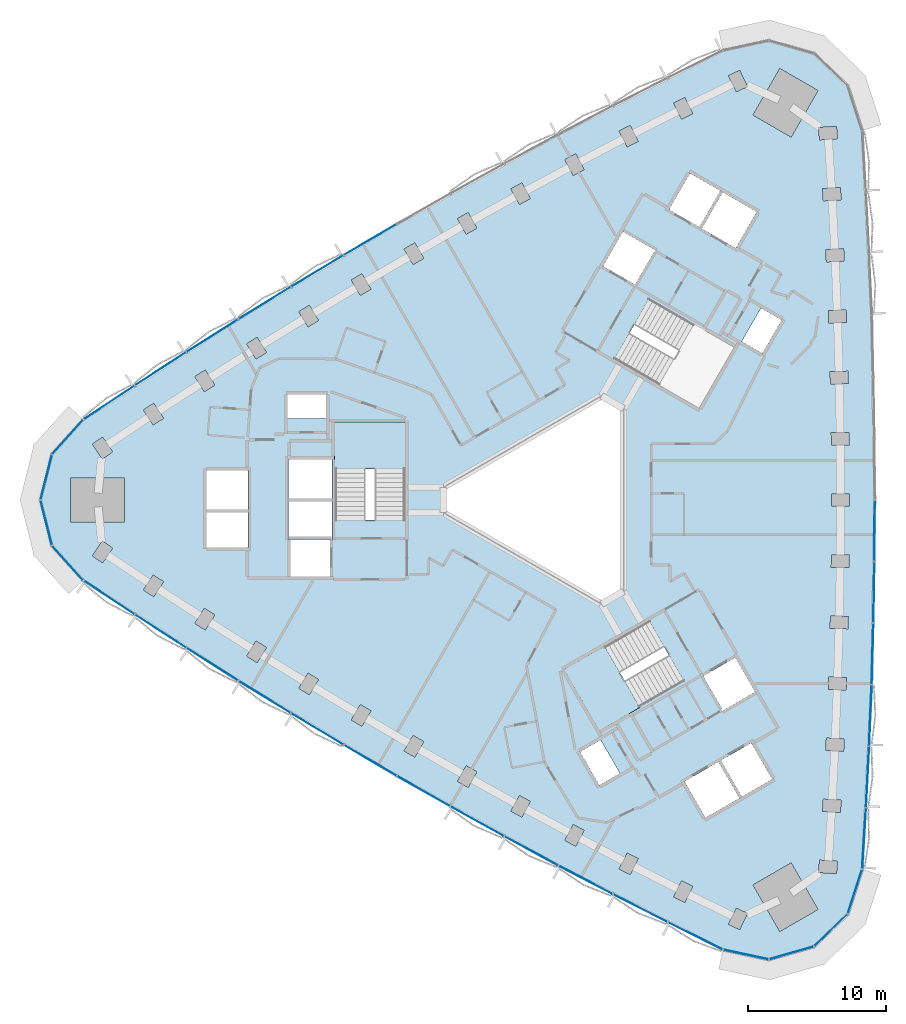
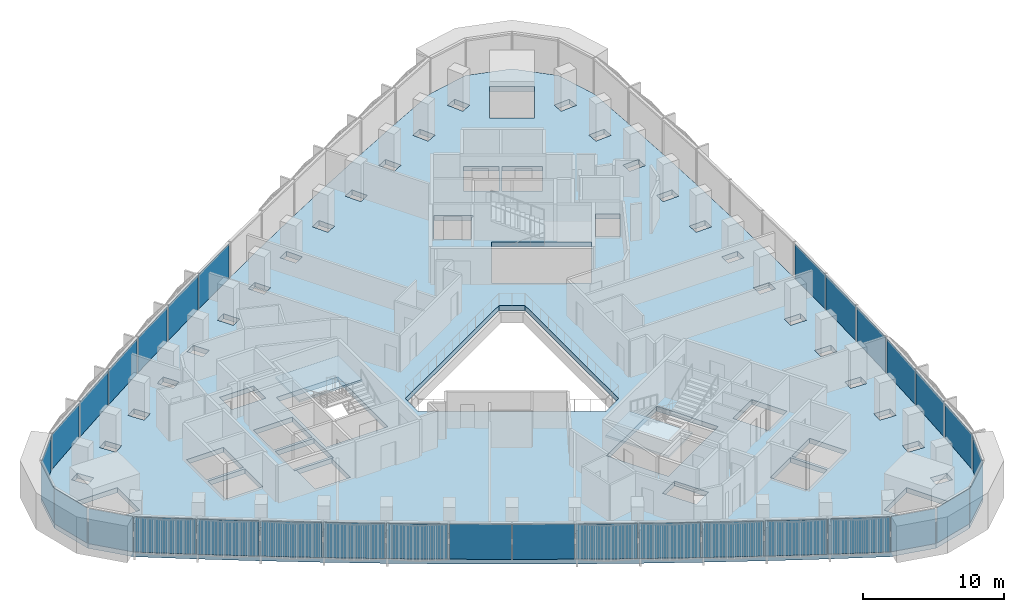
# One storey, part 6 of 15: 32 plates, 3 slabs, 5 elements without a shape of their own.
"""IFC4 building model written with IfcOpenShell, lengths in metres."""

from ifc_helpers import new_model, si_unit, direction, frame, origin, origin_2d, place, context, subcontext, project, spatial, polyline, rectangle, outline, extrude, material, layer, layer_set, type_object, element, aggregate, save


model = new_model("IFC4")

# Units and contexts
model_context = context("Model", 3, precision=1e-05, world=origin(), true_north=direction((0.0, 1.0)))
body_context = subcontext(model_context, "Body", "Model", "MODEL_VIEW")
ifc_project = project(units=[si_unit("LENGTHUNIT", "METRE"), si_unit("AREAUNIT", "SQUARE_METRE"), si_unit("VOLUMEUNIT", "CUBIC_METRE"), si_unit("PLANEANGLEUNIT", "RADIAN"), si_unit("MASSUNIT", "GRAM", prefix="KILO")], contexts=[model_context])

# Site, building, storey
site_placement = place(None, origin())
site = spatial("IfcSite", under=ifc_project, at=site_placement, CompositionType="ELEMENT")
building_placement = place(site_placement, origin())
building = spatial("IfcBuilding", under=site, at=building_placement, Name="Tamra Quay Hotel Tower", CompositionType="ELEMENT")
storey_placement = place(building_placement, frame((0.0, 0.0, 97.39990234375)))
storey = spatial("IfcBuildingStorey", under=building, at=storey_placement, Name="L23", CompositionType="ELEMENT", Elevation=97.39990234375)

# Stair, slab
ifc_material_1 = material(Name="Exit stair 2200 24 risers 150.0 going 342")
stair_type = type_object("IfcStairType", Name="Exit stair 2200 24 risers 150.0 going 342", PredefinedType="HALF_TURN_STAIR", material=ifc_material_1)
stair_1_placement = place(storey_placement, origin())
stair_1 = element("IfcStair", 1, at=stair_1_placement, inside=storey, type_object=stair_type, Name="L23 Exit stair ST3", PredefinedType="HALF_TURN_STAIR")
ifc_material_2 = material(Name="Concrete M70", Category="concrete")
ifc_layer_1 = layer(ifc_material_2, 0.175048828125)
ifc_layer_set_1 = layer_set([ifc_layer_1], Name="Concrete M70 stair landing 180")
slab_type_1 = type_object("IfcSlabType", Name="Concrete M70 stair landing 180", PredefinedType="LANDING", material=ifc_layer_set_1)
slab_1_placement = place(storey_placement, frame((0.0, 0.0, 1.625)))
slab_1 = element("IfcSlab", 2, at=slab_1_placement, type_object=slab_type_1, Name="ST3 landing 1", PredefinedType="LANDING", context=body_context, shape_type="SweptSolid", body=[
    extrude(outline(polyline([(-10.932373046875, 2.261962890625), (-10.932373046875, 5.679931640625), (-16.09130859375, 5.679931640625), (-16.09130859375, 2.261962890625), (-10.932373046875, 2.261962890625)])), origin(), (0.0, 0.0, 1.0), 0.175048828125),
])
aggregate(stair_1, [slab_1])

stair_2_placement = place(storey_placement, origin())
stair_2 = element("IfcStair", 3, at=stair_2_placement, inside=storey, type_object=stair_type, Name="L23 Exit stair ST2", PredefinedType="HALF_TURN_STAIR")
slab_2_placement = place(storey_placement, frame((0.0, 0.0, 1.625)))
slab_2 = element("IfcSlab", 4, at=slab_2_placement, type_object=slab_type_1, Name="ST2 landing 1", PredefinedType="LANDING", context=body_context, shape_type="SweptSolid", body=[
    extrude(outline(polyline([(3.50732421875, -10.5986328125), (0.547119140625, -12.3076171875), (3.126708984375, -16.775390625), (6.086669921875, -15.06640625), (3.50732421875, -10.5986328125)])), origin(), (0.0, 0.0, 1.0), 0.175048828125),
])
aggregate(stair_2, [slab_2])

# Slab
ifc_material_3 = material(Name="Concrete M60", Category="concrete")
ifc_layer_2 = layer(ifc_material_3, 0.425048828125)
ifc_layer_set_2 = layer_set([ifc_layer_2], Name="FLOOR SLAB PT 425")
slab_type_2 = type_object("IfcSlabType", Name="FLOOR SLAB PT 425", PredefinedType="FLOOR", material=ifc_layer_set_2)
slab_3_placement = place(storey_placement, frame((0.0, 0.0, -0.4248046875)))
element("IfcSlab", 5, at=slab_3_placement, inside=storey, type_object=slab_type_2, Name="SLAB-L23", PredefinedType="FLOOR", context=body_context, shape_type="SweptSolid", body=[
    extrude(outline(polyline([(22.506591796875, 22.354248046875), (22.736083984375, 17.886962890625), (22.914794921875, 13.417236328125), (23.04248046875, 8.94580078125), (23.119140625, 4.47314453125), (23.144775390625, 0.0), (23.119140625, -4.47314453125), (23.04248046875, -8.94580078125), (22.914794921875, -13.417236328125), (22.736083984375, -17.886962890625), (22.506591796875, -22.354248046875), (22.226318359375, -26.81787109375), (21.1767578125, -30.062255859375), (18.724609375, -32.43212890625), (15.4462890625, -33.370849609375), (12.11181640625, -32.657470703125), (8.10595703125, -30.66845703125), (4.122314453125, -28.633544921875), (0.162109375, -26.553466796875), (-3.77392578125, -24.42822265625), (-7.685791015625, -22.25830078125), (-11.572509765625, -20.0439453125), (-15.43359375, -17.78515625), (-19.2685546875, -15.482666015625), (-23.0771484375, -13.13623046875), (-26.858642578125, -10.74658203125), (-30.612548828125, -8.314208984375), (-34.337890625, -5.839599609375), (-36.623046875, -3.308349609375), (-37.449462890625, 0.0), (-36.623046875, 3.308349609375), (-34.337890625, 5.839599609375), (-30.612548828125, 8.314208984375), (-26.858642578125, 10.74658203125), (-23.0771484375, 13.13623046875), (-19.2685546875, 15.482666015625), (-15.43359375, 17.78515625), (-11.572509765625, 20.0439453125), (-7.685791015625, 22.25830078125), (-3.77392578125, 24.42822265625), (0.162109375, 26.553466796875), (4.122314453125, 28.633544921875), (8.10595703125, 30.66845703125), (12.11181640625, 32.657470703125), (15.4462890625, 33.370849609375), (18.724609375, 32.43212890625), (21.1767578125, 30.062255859375), (22.226318359375, 26.81787109375), (22.506591796875, 22.354248046875)]), holes=[polyline([(-14.884521484375, -15.9765625), (-14.1103515625, -16.435302734375), (-13.447509765625, -15.317138671875), (-14.2216796875, -14.858154296875), (-14.884521484375, -15.9765625)]), polyline([(-18.0234375, -12.569580078125), (-18.698974609375, -13.680419921875), (-17.929931640625, -14.14794921875), (-17.25439453125, -13.037353515625), (-18.0234375, -12.569580078125)]), polyline([(-21.798583984375, -10.23779296875), (-22.487060546875, -11.340576171875), (-21.723388671875, -11.817138671875), (-21.03515625, -10.714111328125), (-21.798583984375, -10.23779296875)]), polyline([(-25.547119140625, -7.86279296875), (-26.248046875, -8.9580078125), (-25.489990234375, -9.443115234375), (-24.789306640625, -8.34814453125), (-25.547119140625, -7.86279296875)]), polyline([(-29.268310546875, -5.445556640625), (-29.981689453125, -6.532470703125), (-29.229248046875, -7.026123046875), (-28.51611328125, -5.939453125), (-29.268310546875, -5.445556640625)]), polyline([(-16.3173828125, -2.85498046875), (-19.4072265625, -2.85498046875), (-19.4072265625, -2.89306640625), (-19.307373046875, -2.89306640625), (-19.307373046875, -5.544921875), (-16.417236328125, -5.544921875), (-16.417236328125, -2.89306640625), (-16.3173828125, -2.89306640625), (-16.3173828125, -2.85498046875)]), polyline([(-32.96240234375, -2.986083984375), (-33.6875, -4.06494140625), (-32.9404296875, -4.56689453125), (-32.215576171875, -3.488037109375), (-32.96240234375, -2.986083984375)]), polyline([(-22.3671875, -3.445068359375), (-22.3671875, -0.905029296875), (-25.4072265625, -0.905029296875), (-25.4072265625, -3.445068359375), (-22.3671875, -3.445068359375)]), polyline([(-19.417236328125, -2.89306640625), (-19.417236328125, -2.64501953125), (-16.307373046875, -2.64501953125), (-16.307373046875, -2.89306640625), (-16.26708984375, -2.89306640625), (-16.26708984375, -0.10498046875), (-19.45751953125, -0.10498046875), (-19.45751953125, -2.89306640625), (-19.417236328125, -2.89306640625)]), polyline([(-31.36376953125, 1.60009765625), (-35.263671875, 1.60009765625), (-35.263671875, -1.60009765625), (-31.36376953125, -1.60009765625), (-31.36376953125, 1.60009765625)]), polyline([(-25.4072265625, -0.695068359375), (-22.3671875, -0.695068359375), (-22.3671875, 2.14501953125), (-25.4072265625, 2.14501953125), (-25.4072265625, -0.695068359375)]), polyline([(-19.45751953125, 0.10498046875), (-16.26708984375, 0.10498046875), (-16.26708984375, 2.945068359375), (-19.45751953125, 2.945068359375), (-19.45751953125, 0.10498046875)]), polyline([(-16.036376953125, -1.455078125), (-10.9873046875, -1.455078125), (-10.9873046875, 5.625), (-16.036376953125, 5.625), (-16.036376953125, -1.455078125)]), polyline([(-32.215576171875, 3.488037109375), (-32.9404296875, 4.56689453125), (-33.6875, 4.06494140625), (-32.96240234375, 2.986083984375), (-32.215576171875, 3.488037109375)]), polyline([(-28.51611328125, 5.939453125), (-29.229248046875, 7.026123046875), (-29.981689453125, 6.532470703125), (-29.268310546875, 5.445556640625), (-28.51611328125, 5.939453125)]), polyline([(-19.50732421875, 7.64501953125), (-19.50732421875, 5.9150390625), (-16.71728515625, 5.9150390625), (-16.71728515625, 7.64501953125), (-19.50732421875, 7.64501953125)]), polyline([(-24.789306640625, 8.34814453125), (-25.489990234375, 9.443115234375), (-26.248046875, 8.9580078125), (-25.547119140625, 7.86279296875), (-24.789306640625, 8.34814453125)]), polyline([(-21.03515625, 10.714111328125), (-21.723388671875, 11.817138671875), (-22.487060546875, 11.340576171875), (-21.798583984375, 10.23779296875), (-21.03515625, 10.714111328125)]), polyline([(-17.25439453125, 13.037353515625), (-17.929931640625, 14.14794921875), (-18.698974609375, 13.680419921875), (-18.0234375, 12.569580078125), (-17.25439453125, 13.037353515625)]), polyline([(-13.447509765625, 15.317138671875), (-14.1103515625, 16.435302734375), (-14.884521484375, 15.9765625), (-14.2216796875, 14.858154296875), (-13.447509765625, 15.317138671875)]), polyline([(9.1142578125, -27.665283203125), (8.52978515625, -28.826416015625), (9.33349609375, -29.231201171875), (9.918212890625, -28.070068359375), (9.1142578125, -27.665283203125)]), polyline([(5.164794921875, -25.64208984375), (4.567138671875, -26.79638671875), (5.3662109375, -27.210205078125), (5.964111328125, -26.055908203125), (5.164794921875, -25.64208984375)]), polyline([(1.23876953125, -23.57421875), (0.627685546875, -24.721435546875), (1.422119140625, -25.14453125), (2.033203125, -23.9970703125), (1.23876953125, -23.57421875)]), polyline([(-2.663330078125, -21.46142578125), (-3.28759765625, -22.601806640625), (-2.498046875, -23.033935546875), (-1.873779296875, -21.8935546875), (-2.663330078125, -21.46142578125)]), polyline([(13.3056640625, -21.65576171875), (11.78564453125, -19.02294921875), (9.325927734375, -20.443115234375), (10.845947265625, -23.075927734375), (13.3056640625, -21.65576171875)]), polyline([(-6.541259765625, -19.304443359375), (-7.17822265625, -20.437744140625), (-6.393798828125, -20.878662109375), (-5.756591796875, -19.74560546875), (-6.541259765625, -19.304443359375)]), polyline([(1.73779296875, -18.300048828125), (3.1328125, -20.71630859375), (4.631103515625, -19.851318359375), (3.236083984375, -17.43505859375), (1.73779296875, -18.300048828125)]), polyline([(-10.394287109375, -17.103271484375), (-11.044189453125, -18.22900390625), (-10.264892578125, -18.67919921875), (-9.61474609375, -17.55322265625), (-10.394287109375, -17.103271484375)]), polyline([(10.68115234375, -12.790283203125), (12.05615234375, -15.171875), (11.969482421875, -15.2216796875), (12.03955078125, -15.343017578125), (14.455810546875, -13.947998046875), (13.0107421875, -11.4453125), (10.68115234375, -12.790283203125)]), polyline([(9.2783203125, -13.160400390625), (6.75390625, -8.78759765625), (0.622314453125, -12.32763671875), (3.146728515625, -16.7001953125), (9.2783203125, -13.160400390625)]), polyline([(-8.199951171875, 0.923828125), (-8.199951171875, -0.923828125), (3.300048828125, -7.563232421875), (4.89990234375, -6.639404296875), (4.89990234375, 6.639404296875), (3.300048828125, 7.563232421875), (-8.199951171875, 0.923828125)]), polyline([(6.758056640625, 14.615478515625), (4.2333984375, 10.242919921875), (10.364990234375, 6.702880859375), (12.889404296875, 11.075439453125), (6.758056640625, 14.615478515625)]), polyline([(5.736083984375, 15.645263671875), (7.111083984375, 18.02685546875), (7.19775390625, 17.976806640625), (7.267578125, 18.09814453125), (4.8515625, 19.4931640625), (3.406494140625, 16.990234375), (5.736083984375, 15.645263671875)]), polyline([(-9.61474609375, 17.55322265625), (-10.264892578125, 18.67919921875), (-11.044189453125, 18.22900390625), (-10.394287109375, 17.103271484375), (-9.61474609375, 17.55322265625)]), polyline([(-5.756591796875, 19.74560546875), (-6.393798828125, 20.878662109375), (-7.17822265625, 20.437744140625), (-6.541259765625, 19.304443359375), (-5.756591796875, 19.74560546875)]), polyline([(8.2001953125, 21.093017578125), (10.39990234375, 19.822998046875), (11.919921875, 22.455810546875), (9.72021484375, 23.725830078125), (8.2001953125, 21.093017578125)]), polyline([(-1.873779296875, 21.8935546875), (-2.498046875, 23.033935546875), (-3.28759765625, 22.601806640625), (-2.663330078125, 21.46142578125), (-1.873779296875, 21.8935546875)]), polyline([(2.033203125, 23.9970703125), (1.422119140625, 25.14453125), (0.627685546875, 24.721435546875), (1.23876953125, 23.57421875), (2.033203125, 23.9970703125)]), polyline([(5.964111328125, 26.055908203125), (5.3662109375, 27.210205078125), (4.567138671875, 26.79638671875), (5.164794921875, 25.64208984375), (5.964111328125, 26.055908203125)]), polyline([(9.918212890625, 28.070068359375), (9.33349609375, 29.231201171875), (8.52978515625, 28.826416015625), (9.1142578125, 27.665283203125), (9.918212890625, 28.070068359375)]), polyline([(13.0869140625, -29.643310546875), (12.51513671875, -30.810791015625), (13.323486328125, -31.206787109375), (13.895263671875, -30.039306640625), (13.0869140625, -29.643310546875)]), polyline([(14.296142578125, -27.9619140625), (16.24609375, -31.339111328125), (19.017333984375, -29.7392578125), (17.0673828125, -26.36181640625), (14.296142578125, -27.9619140625)]), polyline([(19.067138671875, -27.05322265625), (20.3642578125, -27.141845703125), (20.42529296875, -26.243896484375), (19.12841796875, -26.155517578125), (19.067138671875, -27.05322265625)]), polyline([(19.350341796875, -22.624267578125), (20.648193359375, -22.698486328125), (20.699462890625, -21.800048828125), (19.401611328125, -21.725830078125), (19.350341796875, -22.624267578125)]), polyline([(14.1669921875, -17.648193359375), (11.96728515625, -18.91796875), (13.487548828125, -21.55078125), (15.68701171875, -20.281005859375), (14.1669921875, -17.648193359375)]), polyline([(20.8818359375, -18.25244140625), (20.9228515625, -17.353515625), (19.624267578125, -17.2939453125), (19.5830078125, -18.193115234375), (20.8818359375, -18.25244140625)]), polyline([(19.765380859375, -13.75927734375), (21.064697265625, -13.803955078125), (21.095703125, -12.904541015625), (19.79638671875, -12.85986328125), (19.765380859375, -13.75927734375)]), polyline([(19.897216796875, -9.323974609375), (21.197021484375, -9.353759765625), (21.217529296875, -8.453857421875), (19.91796875, -8.424072265625), (19.897216796875, -9.323974609375)]), polyline([(19.978515625, -4.88720703125), (21.2783203125, -4.902099609375), (21.288818359375, -4.002197265625), (19.98876953125, -3.9873046875), (19.978515625, -4.88720703125)]), polyline([(20.009033203125, -0.449951171875), (21.30908203125, -0.449951171875), (21.30908203125, 0.449951171875), (20.009033203125, 0.449951171875), (20.009033203125, -0.449951171875)]), polyline([(19.98876953125, 3.9873046875), (21.288818359375, 4.002197265625), (21.2783203125, 4.902099609375), (19.978515625, 4.88720703125), (19.98876953125, 3.9873046875)]), polyline([(19.91796875, 8.424072265625), (21.217529296875, 8.453857421875), (21.197021484375, 9.353759765625), (19.897216796875, 9.323974609375), (19.91796875, 8.424072265625)]), polyline([(14.9794921875, 10.655029296875), (16.37451171875, 13.0712890625), (14.876220703125, 13.936279296875), (13.481201171875, 11.52001953125), (14.9794921875, 10.655029296875)]), polyline([(19.79638671875, 12.85986328125), (21.095703125, 12.904541015625), (21.064697265625, 13.803955078125), (19.765380859375, 13.75927734375), (19.79638671875, 12.85986328125)]), polyline([(19.624267578125, 17.2939453125), (20.9228515625, 17.353515625), (20.8818359375, 18.25244140625), (19.5830078125, 18.193115234375), (19.624267578125, 17.2939453125)]), polyline([(12.101806640625, 22.350830078125), (10.58154296875, 19.718017578125), (13.041259765625, 18.298095703125), (14.561279296875, 20.930908203125), (12.101806640625, 22.350830078125)]), polyline([(19.401611328125, 21.725830078125), (20.699462890625, 21.800048828125), (20.648193359375, 22.698486328125), (19.350341796875, 22.624267578125), (19.401611328125, 21.725830078125)]), polyline([(19.12841796875, 26.155517578125), (20.42529296875, 26.243896484375), (20.3642578125, 27.141845703125), (19.067138671875, 27.05322265625), (19.12841796875, 26.155517578125)]), polyline([(17.0673828125, 26.36181640625), (19.017333984375, 29.7392578125), (16.24609375, 31.339111328125), (14.296142578125, 27.9619140625), (17.0673828125, 26.36181640625)]), polyline([(13.895263671875, 30.039306640625), (13.323486328125, 31.206787109375), (12.51513671875, 30.810791015625), (13.0869140625, 29.643310546875), (13.895263671875, 30.039306640625)])]), origin(), (0.0, 0.0, 1.0), 0.4248046875),
])

# Curtain wall, plates
ifc_material_4 = material(Name="Aluminium 6063 anodised dark grey", Category="aluminium")
curtain_wall_type_1 = type_object("IfcCurtainWallType", Name="CW1 CURTAIN WALL", PredefinedType="NOTDEFINED", material=ifc_material_4)
curtain_wall_1_placement = place(storey_placement, origin())
curtain_wall_1 = element("IfcCurtainWall", 6, at=curtain_wall_1_placement, inside=storey, type_object=curtain_wall_type_1, Name="CW1 east face L23", PredefinedType="NOTDEFINED")
ifc_material_5 = material(Name="Glass clear laminated low-iron", Category="glass")
ifc_layer_3 = layer(ifc_material_5, 0.033935546875)
ifc_layer_set_3 = layer_set([ifc_layer_3], Name="GLASS PANEL CW1 Z2")
plate_type_1 = type_object("IfcPlateType", Name="GLASS PANEL CW1 Z2", PredefinedType="CURTAIN_PANEL", material=ifc_layer_set_3)
plate_1_placement = place(storey_placement, frame((22.366455078125, -24.5859375, 0.0), z_axis=(0.0, 0.0, 1.0), x_axis=(0.062669917068, 0.998034308776, 0.0)))
plate_1 = element("IfcPlate", 7, at=plate_1_placement, type_object=plate_type_1, Name="CW1 glass L23.E.1", PredefinedType="CURTAIN_PANEL", context=body_context, shape_type="SweptSolid", body=[
    extrude(rectangle(XDim=4.372314453125, YDim=0.033935546875, at=origin_2d()), origin(), (0.0, 0.0, 1.0), 3.034912109375),
])
plate_2_placement = place(storey_placement, frame((22.621337890625, -20.12060546875, 0.0), z_axis=(0.0, 0.0, 1.0), x_axis=(0.051320736558, 0.998682222731, 0.0)))
plate_2 = element("IfcPlate", 8, at=plate_2_placement, type_object=plate_type_1, Name="CW1 glass L23.E.2", PredefinedType="CURTAIN_PANEL", context=body_context, shape_type="SweptSolid", body=[
    extrude(rectangle(XDim=4.373291015625, YDim=0.033935546875, at=origin_2d()), origin(), (0.0, 0.0, 1.0), 3.034912109375),
])
plate_3_placement = place(storey_placement, frame((22.825439453125, -15.652099609375, 0.0), z_axis=(0.0, 0.0, 1.0), x_axis=(0.039943885581, 0.99920192454, 0.0)))
plate_3 = element("IfcPlate", 9, at=plate_3_placement, type_object=plate_type_1, Name="CW1 glass L23.E.3", PredefinedType="CURTAIN_PANEL", context=body_context, shape_type="SweptSolid", body=[
    extrude(rectangle(XDim=4.373291015625, YDim=0.033935546875, at=origin_2d()), origin(), (0.0, 0.0, 1.0), 3.034912109375),
])
plate_4_placement = place(storey_placement, frame((22.978759765625, -11.181396484375, 0.0), z_axis=(0.0, 0.0, 1.0), x_axis=(0.028546324212, 0.999592470647, 0.0)))
plate_4 = element("IfcPlate", 10, at=plate_4_placement, type_object=plate_type_1, Name="CW1 glass L23.E.4", PredefinedType="CURTAIN_PANEL", context=body_context, shape_type="SweptSolid", body=[
    extrude(rectangle(XDim=4.373291015625, YDim=0.033935546875, at=origin_2d()), origin(), (0.0, 0.0, 1.0), 3.034912109375),
])
plate_5_placement = place(storey_placement, frame((23.080810546875, -6.70947265625, 0.0), z_axis=(0.0, 0.0, 1.0), x_axis=(0.017133948461, 0.99985320313, 0.0)))
plate_5 = element("IfcPlate", 11, at=plate_5_placement, type_object=plate_type_1, Name="CW1 glass L23.E.5", PredefinedType="CURTAIN_PANEL", context=body_context, shape_type="SweptSolid", body=[
    extrude(rectangle(XDim=4.373291015625, YDim=0.033935546875, at=origin_2d()), origin(), (0.0, 0.0, 1.0), 3.034912109375),
])
plate_6_placement = place(storey_placement, frame((23.132080078125, -2.236572265625, 0.0), z_axis=(0.0, 0.0, 1.0), x_axis=(0.00571269185, 0.999983682443, 0.0)))
plate_6 = element("IfcPlate", 12, at=plate_6_placement, type_object=plate_type_1, Name="CW1 glass L23.E.6", PredefinedType="CURTAIN_PANEL", context=body_context, shape_type="SweptSolid", body=[
    extrude(rectangle(XDim=4.373291015625, YDim=0.033935546875, at=origin_2d()), origin(), (0.0, 0.0, 1.0), 3.034912109375),
])
aggregate(curtain_wall_1, [plate_1, plate_2, plate_3, plate_4, plate_5, plate_6])

curtain_wall_type_2 = type_object("IfcCurtainWallType", Name="CW2 CURTAIN WALL", PredefinedType="NOTDEFINED", material=ifc_material_4)
curtain_wall_2_placement = place(storey_placement, origin())
curtain_wall_2 = element("IfcCurtainWall", 13, at=curtain_wall_2_placement, inside=storey, type_object=curtain_wall_type_2, Name="CW2 north-west face L23", PredefinedType="NOTDEFINED")
ifc_layer_4 = layer(ifc_material_5, 0.033935546875)
ifc_layer_set_4 = layer_set([ifc_layer_4], Name="GLASS PANEL CW2 Z2")
plate_type_2 = type_object("IfcPlateType", Name="GLASS PANEL CW2 Z2", PredefinedType="CURTAIN_PANEL", material=ifc_layer_set_4)
plate_7_placement = place(storey_placement, frame((-13.5029296875, 18.91455078125, 0.0), z_axis=(0.0, 0.0, 1.0), x_axis=(-0.86315492644, -0.504939177488, 0.0)))
plate_7 = element("IfcPlate", 14, at=plate_7_placement, type_object=plate_type_2, Name="CW2 glass L23.NW.7", PredefinedType="CURTAIN_PANEL", context=body_context, shape_type="SweptSolid", body=[
    extrude(rectangle(XDim=4.373291015625, YDim=0.033935546875, at=origin_2d()), origin(), (0.0, 0.0, 1.0), 3.034912109375),
])
plate_8_placement = place(storey_placement, frame((-17.35107421875, 16.6337890625, 0.0), z_axis=(0.0, 0.0, 1.0), x_axis=(-0.857331299736, -0.5147650362, 0.0)))
plate_8 = element("IfcPlate", 15, at=plate_8_placement, type_object=plate_type_2, Name="CW2 glass L23.NW.8", PredefinedType="CURTAIN_PANEL", context=body_context, shape_type="SweptSolid", body=[
    extrude(rectangle(XDim=4.373291015625, YDim=0.033935546875, at=origin_2d()), origin(), (0.0, 0.0, 1.0), 3.034912109375),
])
plate_9_placement = place(storey_placement, frame((-21.1728515625, 14.309326171875, 0.0), z_axis=(0.0, 0.0, 1.0), x_axis=(-0.851399310906, -0.524518077276, 0.0)))
plate_9 = element("IfcPlate", 16, at=plate_9_placement, type_object=plate_type_2, Name="CW2 glass L23.NW.9", PredefinedType="CURTAIN_PANEL", context=body_context, shape_type="SweptSolid", body=[
    extrude(rectangle(XDim=4.373291015625, YDim=0.033935546875, at=origin_2d()), origin(), (0.0, 0.0, 1.0), 3.034912109375),
])
plate_10_placement = place(storey_placement, frame((-24.9677734375, 11.94140625, 0.0), z_axis=(0.0, 0.0, 1.0), x_axis=(-0.845362307372, -0.534193381909, 0.0)))
plate_10 = element("IfcPlate", 17, at=plate_10_placement, type_object=plate_type_2, Name="CW2 glass L23.NW.10", PredefinedType="CURTAIN_PANEL", context=body_context, shape_type="SweptSolid", body=[
    extrude(rectangle(XDim=4.373291015625, YDim=0.033935546875, at=origin_2d()), origin(), (0.0, 0.0, 1.0), 3.034912109375),
])
plate_11_placement = place(storey_placement, frame((-28.735595703125, 9.530517578125, 0.0), z_axis=(0.0, 0.0, 1.0), x_axis=(-0.839223806914, -0.543786172966, 0.0)))
plate_11 = element("IfcPlate", 18, at=plate_11_placement, type_object=plate_type_2, Name="CW2 glass L23.NW.11", PredefinedType="CURTAIN_PANEL", context=body_context, shape_type="SweptSolid", body=[
    extrude(rectangle(XDim=4.373291015625, YDim=0.033935546875, at=origin_2d()), origin(), (0.0, 0.0, 1.0), 3.034912109375),
])
plate_12_placement = place(storey_placement, frame((-32.475341796875, 7.076904296875, 0.0), z_axis=(0.0, 0.0, 1.0), x_axis=(-0.832988106715, -0.553290894622, 0.0)))
plate_12 = element("IfcPlate", 19, at=plate_12_placement, type_object=plate_type_2, Name="CW2 glass L23.NW.12", PredefinedType="CURTAIN_PANEL", context=body_context, shape_type="SweptSolid", body=[
    extrude(rectangle(XDim=4.372314453125, YDim=0.033935546875, at=origin_2d()), origin(), (0.0, 0.0, 1.0), 3.034912109375),
])
plate_13_placement = place(storey_placement, frame((-35.48046875, 4.573974609375, 0.0), z_axis=(0.0, 0.0, 1.0), x_axis=(-0.670087934649, -0.742281725383, 0.0)))
plate_13 = element("IfcPlate", 20, at=plate_13_placement, type_object=plate_type_2, Name="CW2 glass L23.NW.13", PredefinedType="CURTAIN_PANEL", context=body_context, shape_type="SweptSolid", body=[
    extrude(rectangle(XDim=3.31005859375, YDim=0.033935546875, at=origin_2d()), origin(), (0.0, 0.0, 1.0), 3.034912109375),
])
plate_14_placement = place(storey_placement, frame((-37.036376953125, 1.654296875, 0.0), z_axis=(0.0, 0.0, 1.0), x_axis=(-0.242338764242, -0.970191694123, 0.0)))
plate_14 = element("IfcPlate", 21, at=plate_14_placement, type_object=plate_type_2, Name="CW2 glass L23.NW.14", PredefinedType="CURTAIN_PANEL", context=body_context, shape_type="SweptSolid", body=[
    extrude(rectangle(XDim=3.31005859375, YDim=0.033935546875, at=origin_2d()), origin(), (0.0, 0.0, 1.0), 3.034912109375),
])
plate_15_placement = place(storey_placement, frame((-37.036376953125, -1.654296875, 0.0), z_axis=(0.0, 0.0, 1.0), x_axis=(0.242338764242, -0.970191694123, 0.0)))
plate_15 = element("IfcPlate", 22, at=plate_15_placement, type_object=plate_type_2, Name="CW2 glass L23.NW.15", PredefinedType="CURTAIN_PANEL", context=body_context, shape_type="SweptSolid", body=[
    extrude(rectangle(XDim=3.31005859375, YDim=0.033935546875, at=origin_2d()), origin(), (0.0, 0.0, 1.0), 3.034912109375),
])
plate_16_placement = place(storey_placement, frame((-35.48046875, -4.573974609375, 0.0), z_axis=(0.0, 0.0, 1.0), x_axis=(0.670087934649, -0.742281725383, 0.0)))
plate_16 = element("IfcPlate", 23, at=plate_16_placement, type_object=plate_type_2, Name="CW2 glass L23.NW.16", PredefinedType="CURTAIN_PANEL", context=body_context, shape_type="SweptSolid", body=[
    extrude(rectangle(XDim=3.31005859375, YDim=0.033935546875, at=origin_2d()), origin(), (0.0, 0.0, 1.0), 3.034912109375),
])
aggregate(curtain_wall_2, [plate_7, plate_8, plate_9, plate_10, plate_11, plate_12, plate_13, plate_14, plate_15, plate_16])

curtain_wall_type_3 = type_object("IfcCurtainWallType", Name="CW3 CURTAIN WALL", PredefinedType="NOTDEFINED", material=ifc_material_4)
curtain_wall_3_placement = place(storey_placement, origin())
curtain_wall_3 = element("IfcCurtainWall", 24, at=curtain_wall_3_placement, inside=storey, type_object=curtain_wall_type_3, Name="CW3 south-west face L23", PredefinedType="NOTDEFINED")
ifc_layer_5 = layer(ifc_material_5, 0.033935546875)
ifc_layer_set_5 = layer_set([ifc_layer_5], Name="GLASS PANEL CW3 Z2")
plate_type_3 = type_object("IfcPlateType", Name="GLASS PANEL CW3 Z2", PredefinedType="CURTAIN_PANEL", material=ifc_layer_set_5)
plate_17_placement = place(storey_placement, frame((-32.475341796875, -7.076904296875, 0.0), z_axis=(0.0, 0.0, 1.0), x_axis=(0.832988106715, -0.553290894622, 0.0)))
plate_17 = element("IfcPlate", 25, at=plate_17_placement, type_object=plate_type_3, Name="CW3 glass L23.SW.1", PredefinedType="CURTAIN_PANEL", context=body_context, shape_type="SweptSolid", body=[
    extrude(rectangle(XDim=4.372314453125, YDim=0.033935546875, at=origin_2d()), origin(), (0.0, 0.0, 1.0), 3.034912109375),
])
plate_18_placement = place(storey_placement, frame((-28.735595703125, -9.530517578125, 0.0), z_axis=(0.0, 0.0, 1.0), x_axis=(0.839223806914, -0.543786172966, 0.0)))
plate_18 = element("IfcPlate", 26, at=plate_18_placement, type_object=plate_type_3, Name="CW3 glass L23.SW.2", PredefinedType="CURTAIN_PANEL", context=body_context, shape_type="SweptSolid", body=[
    extrude(rectangle(XDim=4.373291015625, YDim=0.033935546875, at=origin_2d()), origin(), (0.0, 0.0, 1.0), 3.034912109375),
])
plate_19_placement = place(storey_placement, frame((-24.9677734375, -11.94140625, 0.0), z_axis=(0.0, 0.0, 1.0), x_axis=(0.845362307372, -0.534193381909, 0.0)))
plate_19 = element("IfcPlate", 27, at=plate_19_placement, type_object=plate_type_3, Name="CW3 glass L23.SW.3", PredefinedType="CURTAIN_PANEL", context=body_context, shape_type="SweptSolid", body=[
    extrude(rectangle(XDim=4.373291015625, YDim=0.033935546875, at=origin_2d()), origin(), (0.0, 0.0, 1.0), 3.034912109375),
])
plate_20_placement = place(storey_placement, frame((-21.1728515625, -14.309326171875, 0.0), z_axis=(0.0, 0.0, 1.0), x_axis=(0.851399310906, -0.524518077276, 0.0)))
plate_20 = element("IfcPlate", 28, at=plate_20_placement, type_object=plate_type_3, Name="CW3 glass L23.SW.4", PredefinedType="CURTAIN_PANEL", context=body_context, shape_type="SweptSolid", body=[
    extrude(rectangle(XDim=4.373291015625, YDim=0.033935546875, at=origin_2d()), origin(), (0.0, 0.0, 1.0), 3.034912109375),
])
plate_21_placement = place(storey_placement, frame((-17.35107421875, -16.6337890625, 0.0), z_axis=(0.0, 0.0, 1.0), x_axis=(0.857331299736, -0.5147650362, 0.0)))
plate_21 = element("IfcPlate", 29, at=plate_21_placement, type_object=plate_type_3, Name="CW3 glass L23.SW.5", PredefinedType="CURTAIN_PANEL", context=body_context, shape_type="SweptSolid", body=[
    extrude(rectangle(XDim=4.373291015625, YDim=0.033935546875, at=origin_2d()), origin(), (0.0, 0.0, 1.0), 3.034912109375),
])
plate_22_placement = place(storey_placement, frame((-13.5029296875, -18.91455078125, 0.0), z_axis=(0.0, 0.0, 1.0), x_axis=(0.86315492644, -0.504939177488, 0.0)))
plate_22 = element("IfcPlate", 30, at=plate_22_placement, type_object=plate_type_3, Name="CW3 glass L23.SW.6", PredefinedType="CURTAIN_PANEL", context=body_context, shape_type="SweptSolid", body=[
    extrude(rectangle(XDim=4.373291015625, YDim=0.033935546875, at=origin_2d()), origin(), (0.0, 0.0, 1.0), 3.034912109375),
])
plate_23_placement = place(storey_placement, frame((-9.629150390625, -21.151123046875, 0.0), z_axis=(0.0, 0.0, 1.0), x_axis=(0.86886761829, -0.495044504955, 0.0)))
plate_23 = element("IfcPlate", 31, at=plate_23_placement, type_object=plate_type_3, Name="CW3 glass L23.SW.7", PredefinedType="CURTAIN_PANEL", context=body_context, shape_type="SweptSolid", body=[
    extrude(rectangle(XDim=4.373291015625, YDim=0.033935546875, at=origin_2d()), origin(), (0.0, 0.0, 1.0), 3.034912109375),
])
plate_24_placement = place(storey_placement, frame((-5.729736328125, -23.34326171875, 0.0), z_axis=(0.0, 0.0, 1.0), x_axis=(0.874465248197, -0.485088166931, 0.0)))
plate_24 = element("IfcPlate", 32, at=plate_24_placement, type_object=plate_type_3, Name="CW3 glass L23.SW.8", PredefinedType="CURTAIN_PANEL", context=body_context, shape_type="SweptSolid", body=[
    extrude(rectangle(XDim=4.373291015625, YDim=0.033935546875, at=origin_2d()), origin(), (0.0, 0.0, 1.0), 3.034912109375),
])
plate_25_placement = place(storey_placement, frame((-1.805908203125, -25.490966796875, 0.0), z_axis=(0.0, 0.0, 1.0), x_axis=(0.879945635118, -0.475074393371, 0.0)))
plate_25 = element("IfcPlate", 33, at=plate_25_placement, type_object=plate_type_3, Name="CW3 glass L23.SW.9", PredefinedType="CURTAIN_PANEL", context=body_context, shape_type="SweptSolid", body=[
    extrude(rectangle(XDim=4.373291015625, YDim=0.033935546875, at=origin_2d()), origin(), (0.0, 0.0, 1.0), 3.034912109375),
])
plate_26_placement = place(storey_placement, frame((2.142333984375, -27.593505859375, 0.0), z_axis=(0.0, 0.0, 1.0), x_axis=(0.885306192952, -0.465008542631, 0.0)))
plate_26 = element("IfcPlate", 34, at=plate_26_placement, type_object=plate_type_3, Name="CW3 glass L23.SW.10", PredefinedType="CURTAIN_PANEL", context=body_context, shape_type="SweptSolid", body=[
    extrude(rectangle(XDim=4.373291015625, YDim=0.033935546875, at=origin_2d()), origin(), (0.0, 0.0, 1.0), 3.034912109375),
])
plate_27_placement = place(storey_placement, frame((6.1142578125, -29.65087890625, 0.0), z_axis=(0.0, 0.0, 1.0), x_axis=(0.890544543472, -0.454896049765, 0.0)))
plate_27 = element("IfcPlate", 35, at=plate_27_placement, type_object=plate_type_3, Name="CW3 glass L23.SW.11", PredefinedType="CURTAIN_PANEL", context=body_context, shape_type="SweptSolid", body=[
    extrude(rectangle(XDim=4.373291015625, YDim=0.033935546875, at=origin_2d()), origin(), (0.0, 0.0, 1.0), 3.034912109375),
])
plate_28_placement = place(storey_placement, frame((10.10888671875, -31.662841796875, 0.0), z_axis=(0.0, 0.0, 1.0), x_axis=(0.895658023783, -0.444743414154, 0.0)))
plate_28 = element("IfcPlate", 36, at=plate_28_placement, type_object=plate_type_3, Name="CW3 glass L23.SW.12", PredefinedType="CURTAIN_PANEL", context=body_context, shape_type="SweptSolid", body=[
    extrude(rectangle(XDim=4.372314453125, YDim=0.033935546875, at=origin_2d()), origin(), (0.0, 0.0, 1.0), 3.034912109375),
])
plate_29_placement = place(storey_placement, frame((13.779052734375, -33.01416015625, 0.0), z_axis=(0.0, 0.0, 1.0), x_axis=(0.977878798271, -0.209172311484, 0.0)))
plate_29 = element("IfcPlate", 37, at=plate_29_placement, type_object=plate_type_3, Name="CW3 glass L23.SW.13", PredefinedType="CURTAIN_PANEL", context=body_context, shape_type="SweptSolid", body=[
    extrude(rectangle(XDim=3.31005859375, YDim=0.033935546875, at=origin_2d()), origin(), (0.0, 0.0, 1.0), 3.034912109375),
])
plate_30_placement = place(storey_placement, frame((17.08544921875, -32.9013671875, 0.0), z_axis=(0.0, 0.0, 1.0), x_axis=(0.961380035772, 0.275224320906, 0.0)))
plate_30 = element("IfcPlate", 38, at=plate_30_placement, type_object=plate_type_3, Name="CW3 glass L23.SW.14", PredefinedType="CURTAIN_PANEL", context=body_context, shape_type="SweptSolid", body=[
    extrude(rectangle(XDim=3.31005859375, YDim=0.033935546875, at=origin_2d()), origin(), (0.0, 0.0, 1.0), 3.034912109375),
])
plate_31_placement = place(storey_placement, frame((19.95068359375, -31.247314453125, 0.0), z_axis=(0.0, 0.0, 1.0), x_axis=(0.71904127153, 0.694967373217, 0.0)))
plate_31 = element("IfcPlate", 39, at=plate_31_placement, type_object=plate_type_3, Name="CW3 glass L23.SW.15", PredefinedType="CURTAIN_PANEL", context=body_context, shape_type="SweptSolid", body=[
    extrude(rectangle(XDim=3.31005859375, YDim=0.033935546875, at=origin_2d()), origin(), (0.0, 0.0, 1.0), 3.034912109375),
])
plate_32_placement = place(storey_placement, frame((21.70166015625, -28.43994140625, 0.0), z_axis=(0.0, 0.0, 1.0), x_axis=(0.307790863622, 0.951454036867, 0.0)))
plate_32 = element("IfcPlate", 40, at=plate_32_placement, type_object=plate_type_3, Name="CW3 glass L23.SW.16", PredefinedType="CURTAIN_PANEL", context=body_context, shape_type="SweptSolid", body=[
    extrude(rectangle(XDim=3.31005859375, YDim=0.033935546875, at=origin_2d()), origin(), (0.0, 0.0, 1.0), 3.034912109375),
])
aggregate(curtain_wall_3, [plate_17, plate_18, plate_19, plate_20, plate_21, plate_22, plate_23, plate_24, plate_25, plate_26, plate_27, plate_28, plate_29, plate_30, plate_31, plate_32])

save(model, "model.ifc")
